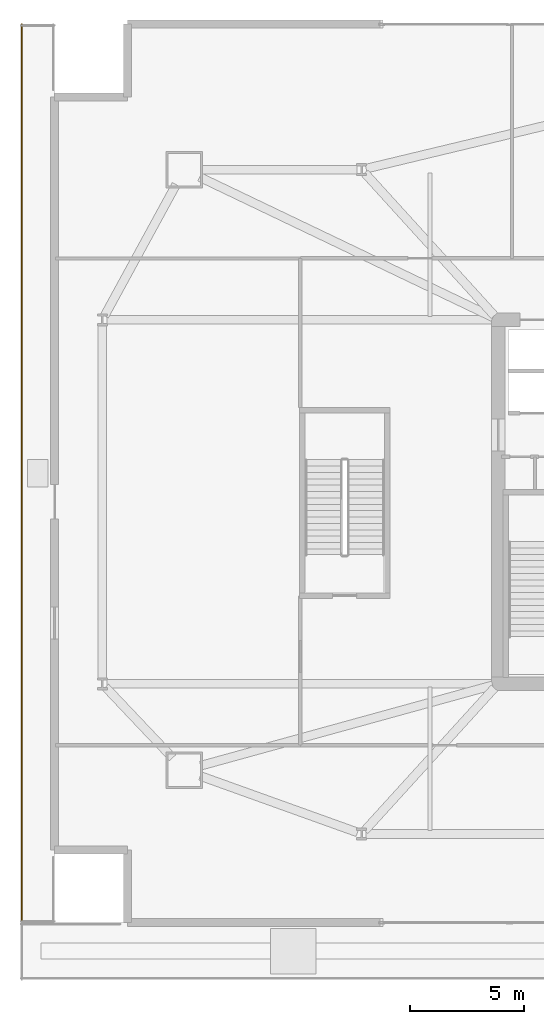
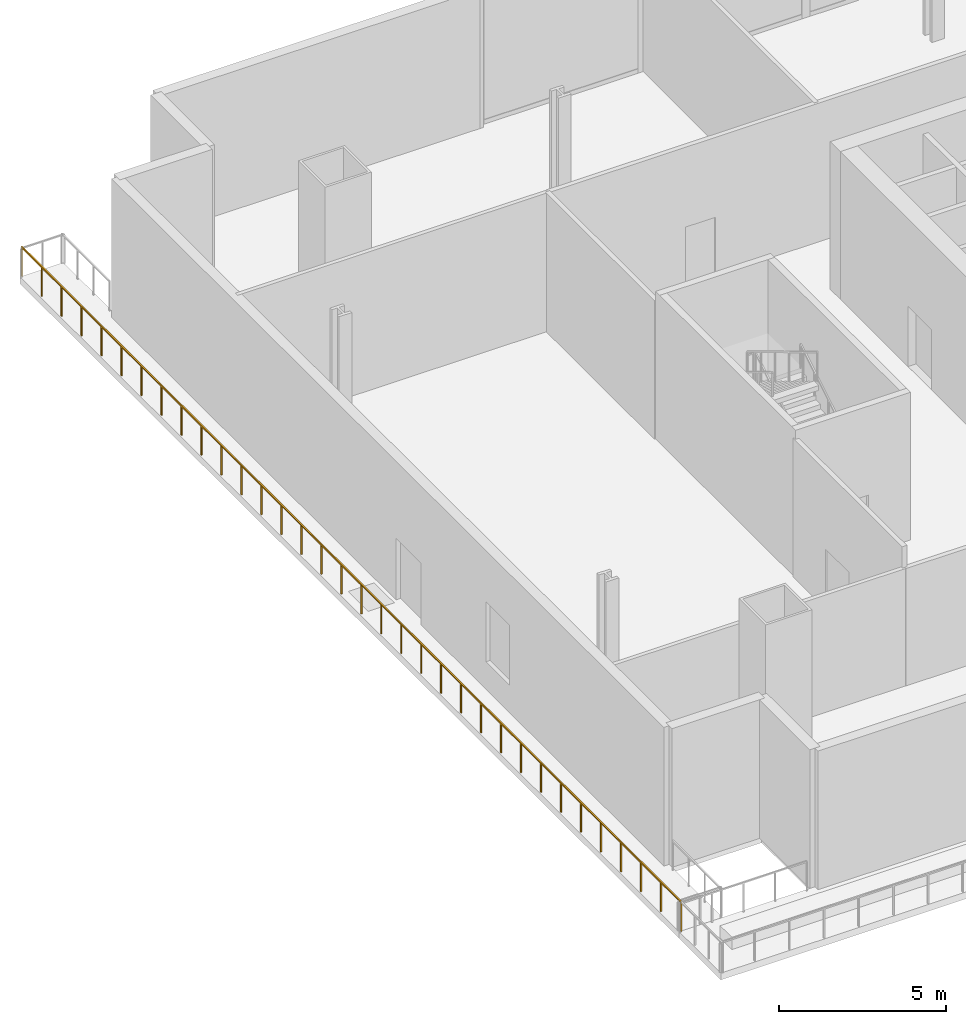
# One storey, part 17 of 20: 1 railing.
"""IFC4 building model written with IfcOpenShell, lengths in metres."""

from ifc_helpers import new_model, si_unit, direction, frame, origin, origin_2d, place, context, subcontext, project, spatial, rectangle, extrude, material, type_object, element, save


model = new_model("IFC4")

# Units and contexts
model_context = context("Model", 3, precision=1e-05, world=origin(), true_north=direction((0.0, 1.0)))
body_context = subcontext(model_context, "Body", "Model", "MODEL_VIEW")
ifc_project = project(units=[si_unit("LENGTHUNIT", "METRE"), si_unit("AREAUNIT", "SQUARE_METRE"), si_unit("VOLUMEUNIT", "CUBIC_METRE"), si_unit("PLANEANGLEUNIT", "RADIAN"), si_unit("MASSUNIT", "GRAM", prefix="KILO")], contexts=[model_context])

# Site, building, storey
site_placement = place(None, origin())
site = spatial("IfcSite", under=ifc_project, at=site_placement, CompositionType="ELEMENT")
building_placement = place(site_placement, origin())
building = spatial("IfcBuilding", under=site, at=building_placement, Name="Haldenkirk Collegiate Tower", CompositionType="ELEMENT")
storey_placement = place(building_placement, frame((0.0, 0.0, 11.39990234375)))
storey = spatial("IfcBuildingStorey", under=building, at=storey_placement, Name="L02", CompositionType="ELEMENT", Elevation=11.39990234375)

# Railing
ifc_material = material(Name="Anodised architectural bronze aluminium", Category="aluminium")
railing_type = type_object("IfcRailingType", Name="RLG-TERR-BALUSTRADE-1100", PredefinedType="BALUSTRADE", material=ifc_material)
railing_placement = place(storey_placement, frame((6.06005859375, 47.0, 0.0)))
element("IfcRailing", 1, at=railing_placement, inside=storey, type_object=railing_type, Name="L02 terrace guard balustrade 4-1", PredefinedType="BALUSTRADE", context=body_context, shape_type="SweptSolid", body=[
    extrude(rectangle(XDim=0.048095703125, YDim=0.048095703125, at=origin_2d()), frame((0.0, 0.0, 1.076171875), z_axis=(0.0, -1.0, 0.0), x_axis=(1.0, 0.0, 0.0)), (0.0, 0.0, 1.0), 39.5),
    extrude(rectangle(XDim=0.0419921875, YDim=0.0419921875, at=origin_2d()), origin(), (0.0, 0.0, 1.0), 1.052001953125),
    extrude(rectangle(XDim=0.0419921875, YDim=0.0419921875, at=origin_2d()), frame((0.0, -1.197021484375, 0.0)), (0.0, 0.0, 1.0), 1.052001953125),
    extrude(rectangle(XDim=0.0419921875, YDim=0.0419921875, at=origin_2d()), frame((0.0, -2.39404296875, 0.0)), (0.0, 0.0, 1.0), 1.052001953125),
    extrude(rectangle(XDim=0.0419921875, YDim=0.0419921875, at=origin_2d()), frame((0.0, -3.5908203125, 0.0)), (0.0, 0.0, 1.0), 1.052001953125),
    extrude(rectangle(XDim=0.0419921875, YDim=0.0419921875, at=origin_2d()), frame((0.0, -4.787841796875, 0.0)), (0.0, 0.0, 1.0), 1.052001953125),
    extrude(rectangle(XDim=0.0419921875, YDim=0.0419921875, at=origin_2d()), frame((0.0, -5.98486328125, 0.0)), (0.0, 0.0, 1.0), 1.052001953125),
    extrude(rectangle(XDim=0.0419921875, YDim=0.0419921875, at=origin_2d()), frame((0.0, -7.181884765625, 0.0)), (0.0, 0.0, 1.0), 1.052001953125),
    extrude(rectangle(XDim=0.0419921875, YDim=0.0419921875, at=origin_2d()), frame((0.0, -8.37890625, 0.0)), (0.0, 0.0, 1.0), 1.052001953125),
    extrude(rectangle(XDim=0.0419921875, YDim=0.0419921875, at=origin_2d()), frame((0.0, -9.57568359375, 0.0)), (0.0, 0.0, 1.0), 1.052001953125),
    extrude(rectangle(XDim=0.0419921875, YDim=0.0419921875, at=origin_2d()), frame((0.0, -10.772705078125, 0.0)), (0.0, 0.0, 1.0), 1.052001953125),
    extrude(rectangle(XDim=0.0419921875, YDim=0.0419921875, at=origin_2d()), frame((0.0, -11.9697265625, 0.0)), (0.0, 0.0, 1.0), 1.052001953125),
    extrude(rectangle(XDim=0.0419921875, YDim=0.0419921875, at=origin_2d()), frame((0.0, -13.166748046875, 0.0)), (0.0, 0.0, 1.0), 1.052001953125),
    extrude(rectangle(XDim=0.0419921875, YDim=0.0419921875, at=origin_2d()), frame((0.0, -14.363525390625, 0.0)), (0.0, 0.0, 1.0), 1.052001953125),
    extrude(rectangle(XDim=0.0419921875, YDim=0.0419921875, at=origin_2d()), frame((0.0, -15.560546875, 0.0)), (0.0, 0.0, 1.0), 1.052001953125),
    extrude(rectangle(XDim=0.0419921875, YDim=0.0419921875, at=origin_2d()), frame((0.0, -16.757568359375, 0.0)), (0.0, 0.0, 1.0), 1.052001953125),
    extrude(rectangle(XDim=0.0419921875, YDim=0.0419921875, at=origin_2d()), frame((0.0, -17.95458984375, 0.0)), (0.0, 0.0, 1.0), 1.052001953125),
    extrude(rectangle(XDim=0.0419921875, YDim=0.0419921875, at=origin_2d()), frame((0.0, -19.151611328125, 0.0)), (0.0, 0.0, 1.0), 1.052001953125),
    extrude(rectangle(XDim=0.0419921875, YDim=0.0419921875, at=origin_2d()), frame((0.0, -20.348388671875, 0.0)), (0.0, 0.0, 1.0), 1.052001953125),
    extrude(rectangle(XDim=0.0419921875, YDim=0.0419921875, at=origin_2d()), frame((0.0, -21.54541015625, 0.0)), (0.0, 0.0, 1.0), 1.052001953125),
    extrude(rectangle(XDim=0.0419921875, YDim=0.0419921875, at=origin_2d()), frame((0.0, -22.742431640625, 0.0)), (0.0, 0.0, 1.0), 1.052001953125),
    extrude(rectangle(XDim=0.0419921875, YDim=0.0419921875, at=origin_2d()), frame((0.0, -23.939453125, 0.0)), (0.0, 0.0, 1.0), 1.052001953125),
    extrude(rectangle(XDim=0.0419921875, YDim=0.0419921875, at=origin_2d()), frame((0.0, -25.136474609375, 0.0)), (0.0, 0.0, 1.0), 1.052001953125),
    extrude(rectangle(XDim=0.0419921875, YDim=0.0419921875, at=origin_2d()), frame((0.0, -26.333251953125, 0.0)), (0.0, 0.0, 1.0), 1.052001953125),
    extrude(rectangle(XDim=0.0419921875, YDim=0.0419921875, at=origin_2d()), frame((0.0, -27.5302734375, 0.0)), (0.0, 0.0, 1.0), 1.052001953125),
    extrude(rectangle(XDim=0.0419921875, YDim=0.0419921875, at=origin_2d()), frame((0.0, -28.727294921875, 0.0)), (0.0, 0.0, 1.0), 1.052001953125),
    extrude(rectangle(XDim=0.0419921875, YDim=0.0419921875, at=origin_2d()), frame((0.0, -29.92431640625, 0.0)), (0.0, 0.0, 1.0), 1.052001953125),
    extrude(rectangle(XDim=0.0419921875, YDim=0.0419921875, at=origin_2d()), frame((0.0, -31.12109375, 0.0)), (0.0, 0.0, 1.0), 1.052001953125),
    extrude(rectangle(XDim=0.0419921875, YDim=0.0419921875, at=origin_2d()), frame((0.0, -32.318115234375, 0.0)), (0.0, 0.0, 1.0), 1.052001953125),
    extrude(rectangle(XDim=0.0419921875, YDim=0.0419921875, at=origin_2d()), frame((0.0, -33.51513671875, 0.0)), (0.0, 0.0, 1.0), 1.052001953125),
    extrude(rectangle(XDim=0.0419921875, YDim=0.0419921875, at=origin_2d()), frame((0.0, -34.712158203125, 0.0)), (0.0, 0.0, 1.0), 1.052001953125),
    extrude(rectangle(XDim=0.0419921875, YDim=0.0419921875, at=origin_2d()), frame((0.0, -35.9091796875, 0.0)), (0.0, 0.0, 1.0), 1.052001953125),
    extrude(rectangle(XDim=0.0419921875, YDim=0.0419921875, at=origin_2d()), frame((0.0, -37.10595703125, 0.0)), (0.0, 0.0, 1.0), 1.052001953125),
    extrude(rectangle(XDim=0.0419921875, YDim=0.0419921875, at=origin_2d()), frame((0.0, -38.302978515625, 0.0)), (0.0, 0.0, 1.0), 1.052001953125),
    extrude(rectangle(XDim=0.0419921875, YDim=0.0419921875, at=origin_2d()), frame((0.0, -39.5, 0.0)), (0.0, 0.0, 1.0), 1.052001953125),
])

save(model, "model.ifc")
